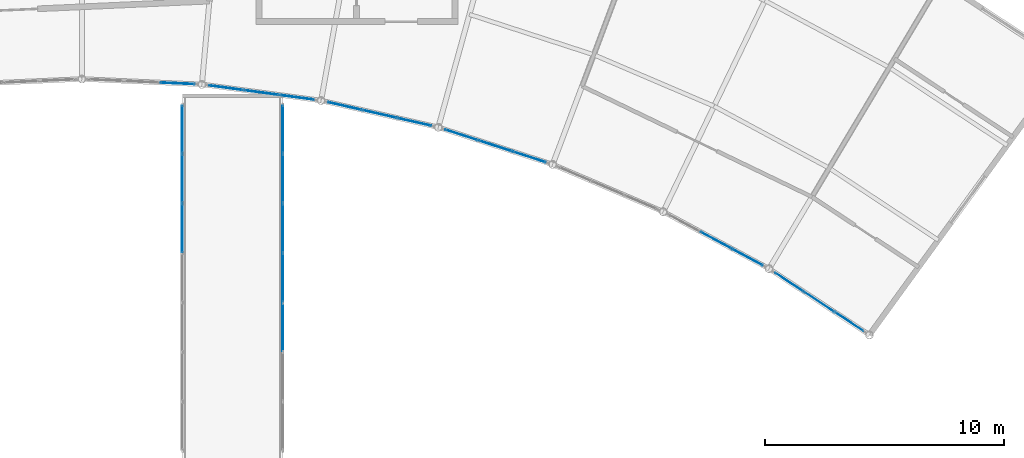
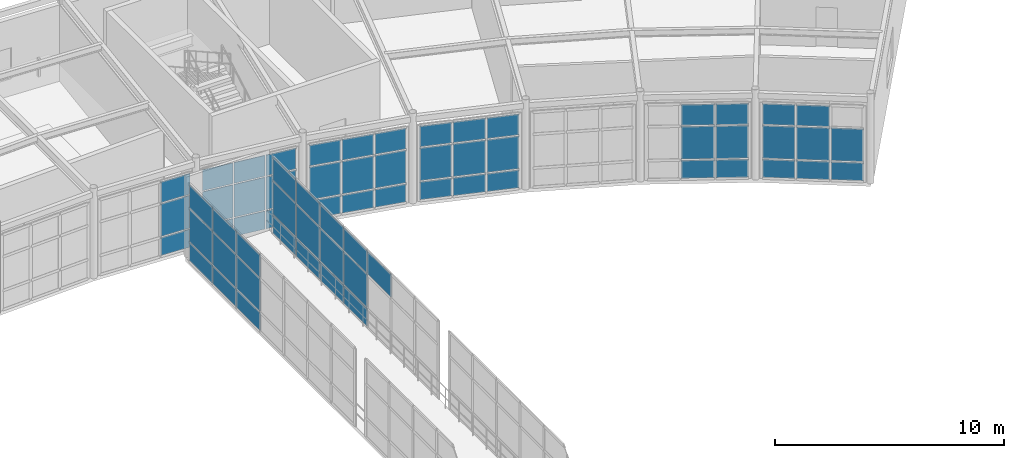
# One storey, part 81 of 105: 66 plates, 8 elements without a shape of their own.
"""IFC4 building model written with IfcOpenShell, lengths in metres."""

from ifc_helpers import new_model, si_unit, direction, frame, origin, origin_2d, place, context, subcontext, project, spatial, rectangle, extrude, material, layer, layer_set, type_object, element, aggregate, save


model = new_model("IFC4")

# Units and contexts
model_context = context("Model", 3, precision=1e-05, world=origin(), true_north=direction((0.0, 1.0)))
body_context = subcontext(model_context, "Body", "Model", "MODEL_VIEW")
ifc_project = project(units=[si_unit("LENGTHUNIT", "METRE"), si_unit("AREAUNIT", "SQUARE_METRE"), si_unit("VOLUMEUNIT", "CUBIC_METRE"), si_unit("PLANEANGLEUNIT", "RADIAN"), si_unit("MASSUNIT", "GRAM", prefix="KILO")], contexts=[model_context])

# Site, building, storey
site_placement = place(None, origin())
site = spatial("IfcSite", under=ifc_project, at=site_placement, CompositionType="ELEMENT")
building_placement = place(site_placement, origin())
building = spatial("IfcBuilding", under=site, at=building_placement, Name="Selat Folded Stagehouse", CompositionType="ELEMENT")
storey_placement = place(building_placement, frame((0.0, 0.0, 10.199951171875)))
storey = spatial("IfcBuildingStorey", under=building, at=storey_placement, Name="L02", CompositionType="ELEMENT", Elevation=10.199951171875)

# Curtain wall, plates
ifc_material_1 = material(Name="Aluminium 6063-T6", Category="aluminium")
ifc_layer_1 = layer(ifc_material_1, 0.175048828125)
ifc_layer_set_1 = layer_set([ifc_layer_1], Name="Aluminium 6063-T6")
curtain_wall_type_1 = type_object("IfcCurtainWallType", Name="CW-BRG-GLAZ", PredefinedType="NOTDEFINED", material=ifc_layer_set_1)
curtain_wall_1_placement = place(storey_placement, origin())
curtain_wall_1 = element("IfcCurtainWall", 1, at=curtain_wall_1_placement, inside=storey, type_object=curtain_wall_type_1, Name="L02 curtain wall CW-BRG-15", PredefinedType="NOTDEFINED")
ifc_material_2 = material(Name="Clear laminated double glazing", Category="glass")
ifc_layer_2 = layer(ifc_material_2, 0.028076171875)
ifc_layer_set_2 = layer_set([ifc_layer_2], Name="Clear laminated double glazing")
plate_type_1 = type_object("IfcPlateType", Name="CWP-GLZ-DGU28", PredefinedType="CURTAIN_PANEL", material=ifc_layer_set_2)
plate_1_placement = place(storey_placement, frame((96.60009765625, 87.771484375, 0.06494140625), z_axis=(0.0, 0.0, 1.0), x_axis=(0.0, 1.0, 0.0)))
plate_1 = element("IfcPlate", 2, at=plate_1_placement, type_object=plate_type_1, Name="CW-07 panel 5.1", PredefinedType="CURTAIN_PANEL", context=body_context, shape_type="SweptSolid", body=[
    extrude(rectangle(XDim=2.011474609375, YDim=0.028076171875, at=origin_2d()), origin(), (0.0, 0.0, 1.0), 0.952392578125),
])
plate_2_placement = place(storey_placement, frame((96.60009765625, 87.771484375, 1.08251953125), z_axis=(0.0, 0.0, 1.0), x_axis=(0.0, 1.0, 0.0)))
plate_2 = element("IfcPlate", 3, at=plate_2_placement, type_object=plate_type_1, Name="CW-07 panel 5.2", PredefinedType="CURTAIN_PANEL", context=body_context, shape_type="SweptSolid", body=[
    extrude(rectangle(XDim=2.011474609375, YDim=0.028076171875, at=origin_2d()), origin(), (0.0, 0.0, 1.0), 1.735107421875),
])
plate_3_placement = place(storey_placement, frame((96.60009765625, 87.771484375, 2.8828125), z_axis=(0.0, 0.0, 1.0), x_axis=(0.0, 1.0, 0.0)))
plate_3 = element("IfcPlate", 4, at=plate_3_placement, type_object=plate_type_1, Name="CW-07 panel 5.3", PredefinedType="CURTAIN_PANEL", context=body_context, shape_type="SweptSolid", body=[
    extrude(rectangle(XDim=2.011474609375, YDim=0.028076171875, at=origin_2d()), origin(), (0.0, 0.0, 1.0), 1.202392578125),
])
plate_4_placement = place(storey_placement, frame((96.60009765625, 89.8427734375, 0.06494140625), z_axis=(0.0, 0.0, 1.0), x_axis=(0.0, 1.0, 0.0)))
plate_4 = element("IfcPlate", 5, at=plate_4_placement, type_object=plate_type_1, Name="CW-07 panel 6.1", PredefinedType="CURTAIN_PANEL", context=body_context, shape_type="SweptSolid", body=[
    extrude(rectangle(XDim=2.011474609375, YDim=0.028076171875, at=origin_2d()), origin(), (0.0, 0.0, 1.0), 0.952392578125),
])
plate_5_placement = place(storey_placement, frame((96.60009765625, 89.8427734375, 1.08251953125), z_axis=(0.0, 0.0, 1.0), x_axis=(0.0, 1.0, 0.0)))
plate_5 = element("IfcPlate", 6, at=plate_5_placement, type_object=plate_type_1, Name="CW-07 panel 6.2", PredefinedType="CURTAIN_PANEL", context=body_context, shape_type="SweptSolid", body=[
    extrude(rectangle(XDim=2.011474609375, YDim=0.028076171875, at=origin_2d()), origin(), (0.0, 0.0, 1.0), 1.735107421875),
])
plate_6_placement = place(storey_placement, frame((96.60009765625, 89.8427734375, 2.8828125), z_axis=(0.0, 0.0, 1.0), x_axis=(0.0, 1.0, 0.0)))
plate_6 = element("IfcPlate", 7, at=plate_6_placement, type_object=plate_type_1, Name="CW-07 panel 6.3", PredefinedType="CURTAIN_PANEL", context=body_context, shape_type="SweptSolid", body=[
    extrude(rectangle(XDim=2.011474609375, YDim=0.028076171875, at=origin_2d()), origin(), (0.0, 0.0, 1.0), 1.202392578125),
])
plate_7_placement = place(storey_placement, frame((96.60009765625, 91.899169921875, 0.06494140625), z_axis=(0.0, 0.0, 1.0), x_axis=(0.0, 1.0, 0.0)))
plate_7 = element("IfcPlate", 8, at=plate_7_placement, type_object=plate_type_1, Name="CW-07 panel 7.1", PredefinedType="CURTAIN_PANEL", context=body_context, shape_type="SweptSolid", body=[
    extrude(rectangle(XDim=1.9814453125, YDim=0.028076171875, at=origin_2d()), origin(), (0.0, 0.0, 1.0), 0.952392578125),
])
plate_8_placement = place(storey_placement, frame((96.60009765625, 91.899169921875, 1.08251953125), z_axis=(0.0, 0.0, 1.0), x_axis=(0.0, 1.0, 0.0)))
plate_8 = element("IfcPlate", 9, at=plate_8_placement, type_object=plate_type_1, Name="CW-07 panel 7.2", PredefinedType="CURTAIN_PANEL", context=body_context, shape_type="SweptSolid", body=[
    extrude(rectangle(XDim=1.9814453125, YDim=0.028076171875, at=origin_2d()), origin(), (0.0, 0.0, 1.0), 1.735107421875),
])
plate_9_placement = place(storey_placement, frame((96.60009765625, 91.899169921875, 2.8828125), z_axis=(0.0, 0.0, 1.0), x_axis=(0.0, 1.0, 0.0)))
plate_9 = element("IfcPlate", 10, at=plate_9_placement, type_object=plate_type_1, Name="CW-07 panel 7.3", PredefinedType="CURTAIN_PANEL", context=body_context, shape_type="SweptSolid", body=[
    extrude(rectangle(XDim=1.9814453125, YDim=0.028076171875, at=origin_2d()), origin(), (0.0, 0.0, 1.0), 1.202392578125),
])
aggregate(curtain_wall_1, [plate_1, plate_2, plate_3, plate_4, plate_5, plate_6, plate_7, plate_8, plate_9])

curtain_wall_2_placement = place(storey_placement, origin())
curtain_wall_2 = element("IfcCurtainWall", 11, at=curtain_wall_2_placement, inside=storey, type_object=curtain_wall_type_1, Name="L02 curtain wall CW-BRG-20", PredefinedType="NOTDEFINED")
plate_10_placement = place(storey_placement, frame((100.800048828125, 91.899169921875, 0.06494140625), z_axis=(0.0, 0.0, 1.0), x_axis=(0.0, -1.0, 0.0)))
plate_10 = element("IfcPlate", 12, at=plate_10_placement, type_object=plate_type_1, Name="CW-07 panel 1.1", PredefinedType="CURTAIN_PANEL", context=body_context, shape_type="SweptSolid", body=[
    extrude(rectangle(XDim=1.9814453125, YDim=0.028076171875, at=origin_2d()), origin(), (0.0, 0.0, 1.0), 0.952392578125),
])
plate_11_placement = place(storey_placement, frame((100.800048828125, 91.899169921875, 1.08251953125), z_axis=(0.0, 0.0, 1.0), x_axis=(0.0, -1.0, 0.0)))
plate_11 = element("IfcPlate", 13, at=plate_11_placement, type_object=plate_type_1, Name="CW-07 panel 1.2", PredefinedType="CURTAIN_PANEL", context=body_context, shape_type="SweptSolid", body=[
    extrude(rectangle(XDim=1.9814453125, YDim=0.028076171875, at=origin_2d()), origin(), (0.0, 0.0, 1.0), 1.735107421875),
])
plate_12_placement = place(storey_placement, frame((100.800048828125, 91.899169921875, 2.8828125), z_axis=(0.0, 0.0, 1.0), x_axis=(0.0, -1.0, 0.0)))
plate_12 = element("IfcPlate", 14, at=plate_12_placement, type_object=plate_type_1, Name="CW-07 panel 1.3", PredefinedType="CURTAIN_PANEL", context=body_context, shape_type="SweptSolid", body=[
    extrude(rectangle(XDim=1.9814453125, YDim=0.028076171875, at=origin_2d()), origin(), (0.0, 0.0, 1.0), 1.202392578125),
])
plate_13_placement = place(storey_placement, frame((100.800048828125, 89.8427734375, 0.06494140625), z_axis=(0.0, 0.0, 1.0), x_axis=(0.0, -1.0, 0.0)))
plate_13 = element("IfcPlate", 15, at=plate_13_placement, type_object=plate_type_1, Name="CW-07 panel 2.1", PredefinedType="CURTAIN_PANEL", context=body_context, shape_type="SweptSolid", body=[
    extrude(rectangle(XDim=2.011474609375, YDim=0.028076171875, at=origin_2d()), origin(), (0.0, 0.0, 1.0), 0.952392578125),
])
plate_14_placement = place(storey_placement, frame((100.800048828125, 89.8427734375, 1.08251953125), z_axis=(0.0, 0.0, 1.0), x_axis=(0.0, -1.0, 0.0)))
plate_14 = element("IfcPlate", 16, at=plate_14_placement, type_object=plate_type_1, Name="CW-07 panel 2.2", PredefinedType="CURTAIN_PANEL", context=body_context, shape_type="SweptSolid", body=[
    extrude(rectangle(XDim=2.011474609375, YDim=0.028076171875, at=origin_2d()), origin(), (0.0, 0.0, 1.0), 1.735107421875),
])
plate_15_placement = place(storey_placement, frame((100.800048828125, 89.8427734375, 2.8828125), z_axis=(0.0, 0.0, 1.0), x_axis=(0.0, -1.0, 0.0)))
plate_15 = element("IfcPlate", 17, at=plate_15_placement, type_object=plate_type_1, Name="CW-07 panel 2.3", PredefinedType="CURTAIN_PANEL", context=body_context, shape_type="SweptSolid", body=[
    extrude(rectangle(XDim=2.011474609375, YDim=0.028076171875, at=origin_2d()), origin(), (0.0, 0.0, 1.0), 1.202392578125),
])
plate_16_placement = place(storey_placement, frame((100.800048828125, 87.771484375, 0.06494140625), z_axis=(0.0, 0.0, 1.0), x_axis=(0.0, -1.0, 0.0)))
plate_16 = element("IfcPlate", 18, at=plate_16_placement, type_object=plate_type_1, Name="CW-07 panel 3.1", PredefinedType="CURTAIN_PANEL", context=body_context, shape_type="SweptSolid", body=[
    extrude(rectangle(XDim=2.011474609375, YDim=0.028076171875, at=origin_2d()), origin(), (0.0, 0.0, 1.0), 0.952392578125),
])
plate_17_placement = place(storey_placement, frame((100.800048828125, 87.771484375, 1.08251953125), z_axis=(0.0, 0.0, 1.0), x_axis=(0.0, -1.0, 0.0)))
plate_17 = element("IfcPlate", 19, at=plate_17_placement, type_object=plate_type_1, Name="CW-07 panel 3.2", PredefinedType="CURTAIN_PANEL", context=body_context, shape_type="SweptSolid", body=[
    extrude(rectangle(XDim=2.011474609375, YDim=0.028076171875, at=origin_2d()), origin(), (0.0, 0.0, 1.0), 1.735107421875),
])
plate_18_placement = place(storey_placement, frame((100.800048828125, 87.771484375, 2.8828125), z_axis=(0.0, 0.0, 1.0), x_axis=(0.0, -1.0, 0.0)))
plate_18 = element("IfcPlate", 20, at=plate_18_placement, type_object=plate_type_1, Name="CW-07 panel 3.3", PredefinedType="CURTAIN_PANEL", context=body_context, shape_type="SweptSolid", body=[
    extrude(rectangle(XDim=2.011474609375, YDim=0.028076171875, at=origin_2d()), origin(), (0.0, 0.0, 1.0), 1.202392578125),
])
plate_19_placement = place(storey_placement, frame((100.800048828125, 85.699951171875, 0.06494140625), z_axis=(0.0, 0.0, 1.0), x_axis=(0.0, -1.0, 0.0)))
plate_19 = element("IfcPlate", 21, at=plate_19_placement, type_object=plate_type_1, Name="CW-07 panel 4.1", PredefinedType="CURTAIN_PANEL", context=body_context, shape_type="SweptSolid", body=[
    extrude(rectangle(XDim=2.011474609375, YDim=0.028076171875, at=origin_2d()), origin(), (0.0, 0.0, 1.0), 0.952392578125),
])
plate_20_placement = place(storey_placement, frame((100.800048828125, 85.699951171875, 1.08251953125), z_axis=(0.0, 0.0, 1.0), x_axis=(0.0, -1.0, 0.0)))
plate_20 = element("IfcPlate", 22, at=plate_20_placement, type_object=plate_type_1, Name="CW-07 panel 4.2", PredefinedType="CURTAIN_PANEL", context=body_context, shape_type="SweptSolid", body=[
    extrude(rectangle(XDim=2.011474609375, YDim=0.028076171875, at=origin_2d()), origin(), (0.0, 0.0, 1.0), 1.735107421875),
])
plate_21_placement = place(storey_placement, frame((100.800048828125, 85.699951171875, 2.8828125), z_axis=(0.0, 0.0, 1.0), x_axis=(0.0, -1.0, 0.0)))
plate_21 = element("IfcPlate", 23, at=plate_21_placement, type_object=plate_type_1, Name="CW-07 panel 4.3", PredefinedType="CURTAIN_PANEL", context=body_context, shape_type="SweptSolid", body=[
    extrude(rectangle(XDim=2.011474609375, YDim=0.028076171875, at=origin_2d()), origin(), (0.0, 0.0, 1.0), 1.202392578125),
])
plate_22_placement = place(storey_placement, frame((100.800048828125, 83.628662109375, 2.8828125), z_axis=(0.0, 0.0, 1.0), x_axis=(0.0, -1.0, 0.0)))
plate_22 = element("IfcPlate", 24, at=plate_22_placement, type_object=plate_type_1, Name="CW-07 panel 5.3", PredefinedType="CURTAIN_PANEL", context=body_context, shape_type="SweptSolid", body=[
    extrude(rectangle(XDim=2.011474609375, YDim=0.028076171875, at=origin_2d()), origin(), (0.0, 0.0, 1.0), 1.202392578125),
])
aggregate(curtain_wall_2, [plate_10, plate_11, plate_12, plate_13, plate_14, plate_15, plate_16, plate_17, plate_18, plate_19, plate_20, plate_21, plate_22])

ifc_layer_3 = layer(ifc_material_1, 0.18994140625)
ifc_layer_set_3 = layer_set([ifc_layer_3], Name="Aluminium 6063-T6")
curtain_wall_type_2 = type_object("IfcCurtainWallType", Name="CW-REH-ARC", PredefinedType="NOTDEFINED", material=ifc_layer_set_3)
curtain_wall_3_placement = place(storey_placement, origin())
curtain_wall_3 = element("IfcCurtainWall", 25, at=curtain_wall_3_placement, inside=storey, type_object=curtain_wall_type_2, Name="L02 curtain wall CW-REH-L02-07", PredefinedType="NOTDEFINED")
ifc_material_3 = material(Name="Laminated low-E double glazing", Category="glass")
ifc_layer_4 = layer(ifc_material_3, 0.031982421875)
ifc_layer_set_4 = layer_set([ifc_layer_4], Name="Laminated low-E double glazing")
plate_type_2 = type_object("IfcPlateType", Name="CWP-GLZ-DGU32", PredefinedType="CURTAIN_PANEL", material=ifc_layer_set_4)
plate_23_placement = place(storey_placement, frame((96.401611328125, 93.8203125, 0.06494140625), z_axis=(0.0, 0.0, 1.0), x_axis=(-0.998993179436, 0.044862316478, 0.0)))
plate_23 = element("IfcPlate", 26, at=plate_23_placement, type_object=plate_type_2, Name="CW-06 panel 1.1", PredefinedType="CURTAIN_PANEL", context=body_context, shape_type="SweptSolid", body=[
    extrude(rectangle(XDim=1.418212890625, YDim=0.031982421875, at=origin_2d()), origin(), (0.0, 0.0, 1.0), 0.952392578125),
])
plate_24_placement = place(storey_placement, frame((96.401611328125, 93.8203125, 1.08251953125), z_axis=(0.0, 0.0, 1.0), x_axis=(-0.998993179436, 0.044862316478, 0.0)))
plate_24 = element("IfcPlate", 27, at=plate_24_placement, type_object=plate_type_2, Name="CW-06 panel 1.2", PredefinedType="CURTAIN_PANEL", context=body_context, shape_type="SweptSolid", body=[
    extrude(rectangle(XDim=1.418212890625, YDim=0.031982421875, at=origin_2d()), origin(), (0.0, 0.0, 1.0), 1.735107421875),
])
plate_25_placement = place(storey_placement, frame((96.401611328125, 93.8203125, 2.882568359375), z_axis=(0.0, 0.0, 1.0), x_axis=(-0.998993179436, 0.044862316478, 0.0)))
plate_25 = element("IfcPlate", 28, at=plate_25_placement, type_object=plate_type_2, Name="CW-06 panel 1.3", PredefinedType="CURTAIN_PANEL", context=body_context, shape_type="SweptSolid", body=[
    extrude(rectangle(XDim=1.418212890625, YDim=0.031982421875, at=origin_2d()), origin(), (0.0, 0.0, 1.0), 1.1025390625),
])
aggregate(curtain_wall_3, [plate_23, plate_24, plate_25])

curtain_wall_4_placement = place(storey_placement, origin())
curtain_wall_4 = element("IfcCurtainWall", 29, at=curtain_wall_4_placement, inside=storey, type_object=curtain_wall_type_2, Name="L02 curtain wall CW-REH-L02-08", PredefinedType="NOTDEFINED")
plate_26_placement = place(storey_placement, frame((101.389404296875, 93.23681640625, 0.06494140625), z_axis=(0.0, 0.0, 1.0), x_axis=(-0.990952673876, 0.134211766018, 0.0)))
plate_26 = element("IfcPlate", 30, at=plate_26_placement, type_object=plate_type_2, Name="CW-06 panel 1.1", PredefinedType="CURTAIN_PANEL", context=body_context, shape_type="SweptSolid", body=[
    extrude(rectangle(XDim=1.418212890625, YDim=0.031982421875, at=origin_2d()), origin(), (0.0, 0.0, 1.0), 0.952392578125),
])
plate_27_placement = place(storey_placement, frame((101.389404296875, 93.23681640625, 1.08251953125), z_axis=(0.0, 0.0, 1.0), x_axis=(-0.990952673876, 0.134211766018, 0.0)))
plate_27 = element("IfcPlate", 31, at=plate_27_placement, type_object=plate_type_2, Name="CW-06 panel 1.2", PredefinedType="CURTAIN_PANEL", context=body_context, shape_type="SweptSolid", body=[
    extrude(rectangle(XDim=1.418212890625, YDim=0.031982421875, at=origin_2d()), origin(), (0.0, 0.0, 1.0), 1.735107421875),
])
plate_28_placement = place(storey_placement, frame((101.389404296875, 93.23681640625, 2.882568359375), z_axis=(0.0, 0.0, 1.0), x_axis=(-0.990952673876, 0.134211766018, 0.0)))
plate_28 = element("IfcPlate", 32, at=plate_28_placement, type_object=plate_type_2, Name="CW-06 panel 1.3", PredefinedType="CURTAIN_PANEL", context=body_context, shape_type="SweptSolid", body=[
    extrude(rectangle(XDim=1.418212890625, YDim=0.031982421875, at=origin_2d()), origin(), (0.0, 0.0, 1.0), 1.1025390625),
])
plate_29_placement = place(storey_placement, frame((99.909423828125, 93.437255859375, 0.06494140625), z_axis=(0.0, 0.0, 1.0), x_axis=(-0.990952673876, 0.134211766018, 0.0)))
plate_29 = element("IfcPlate", 33, at=plate_29_placement, type_object=plate_type_2, Name="CW-06 panel 2.1", PredefinedType="CURTAIN_PANEL", context=body_context, shape_type="SweptSolid", body=[
    extrude(rectangle(XDim=1.4482421875, YDim=0.031982421875, at=origin_2d()), origin(), (0.0, 0.0, 1.0), 0.952392578125),
])
plate_30_placement = place(storey_placement, frame((99.909423828125, 93.437255859375, 1.08251953125), z_axis=(0.0, 0.0, 1.0), x_axis=(-0.990952673876, 0.134211766018, 0.0)))
plate_30 = element("IfcPlate", 34, at=plate_30_placement, type_object=plate_type_2, Name="CW-06 panel 2.2", PredefinedType="CURTAIN_PANEL", context=body_context, shape_type="SweptSolid", body=[
    extrude(rectangle(XDim=1.4482421875, YDim=0.031982421875, at=origin_2d()), origin(), (0.0, 0.0, 1.0), 1.735107421875),
])
plate_31_placement = place(storey_placement, frame((99.909423828125, 93.437255859375, 2.882568359375), z_axis=(0.0, 0.0, 1.0), x_axis=(-0.990952673876, 0.134211766018, 0.0)))
plate_31 = element("IfcPlate", 35, at=plate_31_placement, type_object=plate_type_2, Name="CW-06 panel 2.3", PredefinedType="CURTAIN_PANEL", context=body_context, shape_type="SweptSolid", body=[
    extrude(rectangle(XDim=1.4482421875, YDim=0.031982421875, at=origin_2d()), origin(), (0.0, 0.0, 1.0), 1.1025390625),
])
plate_32_placement = place(storey_placement, frame((98.4296875, 93.6376953125, 0.06494140625), z_axis=(0.0, 0.0, 1.0), x_axis=(-0.990952673876, 0.134211766018, 0.0)))
plate_32 = element("IfcPlate", 36, at=plate_32_placement, type_object=plate_type_2, Name="CW-06 panel 3.1", PredefinedType="CURTAIN_PANEL", context=body_context, shape_type="SweptSolid", body=[
    extrude(rectangle(XDim=1.418212890625, YDim=0.031982421875, at=origin_2d()), origin(), (0.0, 0.0, 1.0), 0.952392578125),
])
plate_33_placement = place(storey_placement, frame((98.4296875, 93.6376953125, 1.08251953125), z_axis=(0.0, 0.0, 1.0), x_axis=(-0.990952673876, 0.134211766018, 0.0)))
plate_33 = element("IfcPlate", 37, at=plate_33_placement, type_object=plate_type_2, Name="CW-06 panel 3.2", PredefinedType="CURTAIN_PANEL", context=body_context, shape_type="SweptSolid", body=[
    extrude(rectangle(XDim=1.418212890625, YDim=0.031982421875, at=origin_2d()), origin(), (0.0, 0.0, 1.0), 1.735107421875),
])
plate_34_placement = place(storey_placement, frame((98.4296875, 93.6376953125, 2.882568359375), z_axis=(0.0, 0.0, 1.0), x_axis=(-0.990952673876, 0.134211766018, 0.0)))
plate_34 = element("IfcPlate", 38, at=plate_34_placement, type_object=plate_type_2, Name="CW-06 panel 3.3", PredefinedType="CURTAIN_PANEL", context=body_context, shape_type="SweptSolid", body=[
    extrude(rectangle(XDim=1.418212890625, YDim=0.031982421875, at=origin_2d()), origin(), (0.0, 0.0, 1.0), 1.1025390625),
])
aggregate(curtain_wall_4, [plate_26, plate_27, plate_28, plate_29, plate_30, plate_31, plate_32, plate_33, plate_34])

curtain_wall_5_placement = place(storey_placement, origin())
curtain_wall_5 = element("IfcCurtainWall", 39, at=curtain_wall_5_placement, inside=storey, type_object=curtain_wall_type_2, Name="L02 curtain wall CW-REH-L02-09", PredefinedType="NOTDEFINED")
plate_35_placement = place(storey_placement, frame((106.304443359375, 92.208740234375, 0.06494140625), z_axis=(0.0, 0.0, 1.0), x_axis=(-0.974922930026, 0.222542761079, 0.0)))
plate_35 = element("IfcPlate", 40, at=plate_35_placement, type_object=plate_type_2, Name="CW-06 panel 1.1", PredefinedType="CURTAIN_PANEL", context=body_context, shape_type="SweptSolid", body=[
    extrude(rectangle(XDim=1.418212890625, YDim=0.031982421875, at=origin_2d()), origin(), (0.0, 0.0, 1.0), 0.952392578125),
])
plate_36_placement = place(storey_placement, frame((106.304443359375, 92.208740234375, 1.08251953125), z_axis=(0.0, 0.0, 1.0), x_axis=(-0.974922930026, 0.222542761079, 0.0)))
plate_36 = element("IfcPlate", 41, at=plate_36_placement, type_object=plate_type_2, Name="CW-06 panel 1.2", PredefinedType="CURTAIN_PANEL", context=body_context, shape_type="SweptSolid", body=[
    extrude(rectangle(XDim=1.418212890625, YDim=0.031982421875, at=origin_2d()), origin(), (0.0, 0.0, 1.0), 1.735107421875),
])
plate_37_placement = place(storey_placement, frame((106.304443359375, 92.208740234375, 2.882568359375), z_axis=(0.0, 0.0, 1.0), x_axis=(-0.974922930026, 0.222542761079, 0.0)))
plate_37 = element("IfcPlate", 42, at=plate_37_placement, type_object=plate_type_2, Name="CW-06 panel 1.3", PredefinedType="CURTAIN_PANEL", context=body_context, shape_type="SweptSolid", body=[
    extrude(rectangle(XDim=1.418212890625, YDim=0.031982421875, at=origin_2d()), origin(), (0.0, 0.0, 1.0), 1.1025390625),
])
plate_38_placement = place(storey_placement, frame((104.8486328125, 92.541015625, 0.06494140625), z_axis=(0.0, 0.0, 1.0), x_axis=(-0.974922930026, 0.222542761079, 0.0)))
plate_38 = element("IfcPlate", 43, at=plate_38_placement, type_object=plate_type_2, Name="CW-06 panel 2.1", PredefinedType="CURTAIN_PANEL", context=body_context, shape_type="SweptSolid", body=[
    extrude(rectangle(XDim=1.4482421875, YDim=0.031982421875, at=origin_2d()), origin(), (0.0, 0.0, 1.0), 0.952392578125),
])
plate_39_placement = place(storey_placement, frame((104.8486328125, 92.541015625, 1.08251953125), z_axis=(0.0, 0.0, 1.0), x_axis=(-0.974922930026, 0.222542761079, 0.0)))
plate_39 = element("IfcPlate", 44, at=plate_39_placement, type_object=plate_type_2, Name="CW-06 panel 2.2", PredefinedType="CURTAIN_PANEL", context=body_context, shape_type="SweptSolid", body=[
    extrude(rectangle(XDim=1.4482421875, YDim=0.031982421875, at=origin_2d()), origin(), (0.0, 0.0, 1.0), 1.735107421875),
])
plate_40_placement = place(storey_placement, frame((104.8486328125, 92.541015625, 2.882568359375), z_axis=(0.0, 0.0, 1.0), x_axis=(-0.974922930026, 0.222542761079, 0.0)))
plate_40 = element("IfcPlate", 45, at=plate_40_placement, type_object=plate_type_2, Name="CW-06 panel 2.3", PredefinedType="CURTAIN_PANEL", context=body_context, shape_type="SweptSolid", body=[
    extrude(rectangle(XDim=1.4482421875, YDim=0.031982421875, at=origin_2d()), origin(), (0.0, 0.0, 1.0), 1.1025390625),
])
plate_41_placement = place(storey_placement, frame((103.392822265625, 92.873291015625, 0.06494140625), z_axis=(0.0, 0.0, 1.0), x_axis=(-0.974922930026, 0.222542761079, 0.0)))
plate_41 = element("IfcPlate", 46, at=plate_41_placement, type_object=plate_type_2, Name="CW-06 panel 3.1", PredefinedType="CURTAIN_PANEL", context=body_context, shape_type="SweptSolid", body=[
    extrude(rectangle(XDim=1.418212890625, YDim=0.031982421875, at=origin_2d()), origin(), (0.0, 0.0, 1.0), 0.952392578125),
])
plate_42_placement = place(storey_placement, frame((103.392822265625, 92.873291015625, 1.08251953125), z_axis=(0.0, 0.0, 1.0), x_axis=(-0.974922930026, 0.222542761079, 0.0)))
plate_42 = element("IfcPlate", 47, at=plate_42_placement, type_object=plate_type_2, Name="CW-06 panel 3.2", PredefinedType="CURTAIN_PANEL", context=body_context, shape_type="SweptSolid", body=[
    extrude(rectangle(XDim=1.418212890625, YDim=0.031982421875, at=origin_2d()), origin(), (0.0, 0.0, 1.0), 1.735107421875),
])
plate_43_placement = place(storey_placement, frame((103.392822265625, 92.873291015625, 2.882568359375), z_axis=(0.0, 0.0, 1.0), x_axis=(-0.974922930026, 0.222542761079, 0.0)))
plate_43 = element("IfcPlate", 48, at=plate_43_placement, type_object=plate_type_2, Name="CW-06 panel 3.3", PredefinedType="CURTAIN_PANEL", context=body_context, shape_type="SweptSolid", body=[
    extrude(rectangle(XDim=1.418212890625, YDim=0.031982421875, at=origin_2d()), origin(), (0.0, 0.0, 1.0), 1.1025390625),
])
aggregate(curtain_wall_5, [plate_35, plate_36, plate_37, plate_38, plate_39, plate_40, plate_41, plate_42, plate_43])

curtain_wall_6_placement = place(storey_placement, origin())
curtain_wall_6 = element("IfcCurtainWall", 49, at=curtain_wall_6_placement, inside=storey, type_object=curtain_wall_type_2, Name="L02 curtain wall CW-REH-L02-10", PredefinedType="NOTDEFINED")
plate_44_placement = place(storey_placement, frame((111.107666015625, 90.744140625, 0.06494140625), z_axis=(0.0, 0.0, 1.0), x_axis=(-0.951064760323, 0.308991620714, 0.0)))
plate_44 = element("IfcPlate", 50, at=plate_44_placement, type_object=plate_type_2, Name="CW-06 panel 1.1", PredefinedType="CURTAIN_PANEL", context=body_context, shape_type="SweptSolid", body=[
    extrude(rectangle(XDim=1.418212890625, YDim=0.031982421875, at=origin_2d()), origin(), (0.0, 0.0, 1.0), 0.952392578125),
])
plate_45_placement = place(storey_placement, frame((111.107666015625, 90.744140625, 1.08251953125), z_axis=(0.0, 0.0, 1.0), x_axis=(-0.951064760323, 0.308991620714, 0.0)))
plate_45 = element("IfcPlate", 51, at=plate_45_placement, type_object=plate_type_2, Name="CW-06 panel 1.2", PredefinedType="CURTAIN_PANEL", context=body_context, shape_type="SweptSolid", body=[
    extrude(rectangle(XDim=1.418212890625, YDim=0.031982421875, at=origin_2d()), origin(), (0.0, 0.0, 1.0), 1.735107421875),
])
plate_46_placement = place(storey_placement, frame((111.107666015625, 90.744140625, 2.882568359375), z_axis=(0.0, 0.0, 1.0), x_axis=(-0.951064760323, 0.308991620714, 0.0)))
plate_46 = element("IfcPlate", 52, at=plate_46_placement, type_object=plate_type_2, Name="CW-06 panel 1.3", PredefinedType="CURTAIN_PANEL", context=body_context, shape_type="SweptSolid", body=[
    extrude(rectangle(XDim=1.418212890625, YDim=0.031982421875, at=origin_2d()), origin(), (0.0, 0.0, 1.0), 1.1025390625),
])
plate_47_placement = place(storey_placement, frame((109.6875, 91.20556640625, 0.06494140625), z_axis=(0.0, 0.0, 1.0), x_axis=(-0.951064760323, 0.308991620714, 0.0)))
plate_47 = element("IfcPlate", 53, at=plate_47_placement, type_object=plate_type_2, Name="CW-06 panel 2.1", PredefinedType="CURTAIN_PANEL", context=body_context, shape_type="SweptSolid", body=[
    extrude(rectangle(XDim=1.4482421875, YDim=0.031982421875, at=origin_2d()), origin(), (0.0, 0.0, 1.0), 0.952392578125),
])
plate_48_placement = place(storey_placement, frame((109.6875, 91.20556640625, 1.08251953125), z_axis=(0.0, 0.0, 1.0), x_axis=(-0.951064760323, 0.308991620714, 0.0)))
plate_48 = element("IfcPlate", 54, at=plate_48_placement, type_object=plate_type_2, Name="CW-06 panel 2.2", PredefinedType="CURTAIN_PANEL", context=body_context, shape_type="SweptSolid", body=[
    extrude(rectangle(XDim=1.4482421875, YDim=0.031982421875, at=origin_2d()), origin(), (0.0, 0.0, 1.0), 1.735107421875),
])
plate_49_placement = place(storey_placement, frame((109.6875, 91.20556640625, 2.882568359375), z_axis=(0.0, 0.0, 1.0), x_axis=(-0.951064760323, 0.308991620714, 0.0)))
plate_49 = element("IfcPlate", 55, at=plate_49_placement, type_object=plate_type_2, Name="CW-06 panel 2.3", PredefinedType="CURTAIN_PANEL", context=body_context, shape_type="SweptSolid", body=[
    extrude(rectangle(XDim=1.4482421875, YDim=0.031982421875, at=origin_2d()), origin(), (0.0, 0.0, 1.0), 1.1025390625),
])
plate_50_placement = place(storey_placement, frame((108.267333984375, 91.6669921875, 0.06494140625), z_axis=(0.0, 0.0, 1.0), x_axis=(-0.951064760323, 0.308991620714, 0.0)))
plate_50 = element("IfcPlate", 56, at=plate_50_placement, type_object=plate_type_2, Name="CW-06 panel 3.1", PredefinedType="CURTAIN_PANEL", context=body_context, shape_type="SweptSolid", body=[
    extrude(rectangle(XDim=1.418212890625, YDim=0.031982421875, at=origin_2d()), origin(), (0.0, 0.0, 1.0), 0.952392578125),
])
plate_51_placement = place(storey_placement, frame((108.267333984375, 91.6669921875, 1.08251953125), z_axis=(0.0, 0.0, 1.0), x_axis=(-0.951064760323, 0.308991620714, 0.0)))
plate_51 = element("IfcPlate", 57, at=plate_51_placement, type_object=plate_type_2, Name="CW-06 panel 3.2", PredefinedType="CURTAIN_PANEL", context=body_context, shape_type="SweptSolid", body=[
    extrude(rectangle(XDim=1.418212890625, YDim=0.031982421875, at=origin_2d()), origin(), (0.0, 0.0, 1.0), 1.735107421875),
])
plate_52_placement = place(storey_placement, frame((108.267333984375, 91.6669921875, 2.882568359375), z_axis=(0.0, 0.0, 1.0), x_axis=(-0.951064760323, 0.308991620714, 0.0)))
plate_52 = element("IfcPlate", 58, at=plate_52_placement, type_object=plate_type_2, Name="CW-06 panel 3.3", PredefinedType="CURTAIN_PANEL", context=body_context, shape_type="SweptSolid", body=[
    extrude(rectangle(XDim=1.418212890625, YDim=0.031982421875, at=origin_2d()), origin(), (0.0, 0.0, 1.0), 1.1025390625),
])
aggregate(curtain_wall_6, [plate_44, plate_45, plate_46, plate_47, plate_48, plate_49, plate_50, plate_51, plate_52])

curtain_wall_7_placement = place(storey_placement, origin())
curtain_wall_7 = element("IfcCurtainWall", 59, at=curtain_wall_7_placement, inside=storey, type_object=curtain_wall_type_2, Name="L02 curtain wall CW-REH-L02-12", PredefinedType="NOTDEFINED")
plate_53_placement = place(storey_placement, frame((120.224853515625, 86.55615234375, 0.06494140625), z_axis=(0.0, 0.0, 1.0), x_axis=(-0.880600927119, 0.473858636259, 0.0)))
plate_53 = element("IfcPlate", 60, at=plate_53_placement, type_object=plate_type_2, Name="CW-06 panel 1.1", PredefinedType="CURTAIN_PANEL", context=body_context, shape_type="SweptSolid", body=[
    extrude(rectangle(XDim=1.418212890625, YDim=0.031982421875, at=origin_2d()), origin(), (0.0, 0.0, 1.0), 0.952392578125),
])
plate_54_placement = place(storey_placement, frame((120.224853515625, 86.55615234375, 1.08251953125), z_axis=(0.0, 0.0, 1.0), x_axis=(-0.880600927119, 0.473858636259, 0.0)))
plate_54 = element("IfcPlate", 61, at=plate_54_placement, type_object=plate_type_2, Name="CW-06 panel 1.2", PredefinedType="CURTAIN_PANEL", context=body_context, shape_type="SweptSolid", body=[
    extrude(rectangle(XDim=1.418212890625, YDim=0.031982421875, at=origin_2d()), origin(), (0.0, 0.0, 1.0), 1.735107421875),
])
plate_55_placement = place(storey_placement, frame((120.224853515625, 86.55615234375, 2.882568359375), z_axis=(0.0, 0.0, 1.0), x_axis=(-0.880600927119, 0.473858636259, 0.0)))
plate_55 = element("IfcPlate", 62, at=plate_55_placement, type_object=plate_type_2, Name="CW-06 panel 1.3", PredefinedType="CURTAIN_PANEL", context=body_context, shape_type="SweptSolid", body=[
    extrude(rectangle(XDim=1.418212890625, YDim=0.031982421875, at=origin_2d()), origin(), (0.0, 0.0, 1.0), 1.1025390625),
])
plate_56_placement = place(storey_placement, frame((118.909912109375, 87.263671875, 0.06494140625), z_axis=(0.0, 0.0, 1.0), x_axis=(-0.880600927119, 0.473858636259, 0.0)))
plate_56 = element("IfcPlate", 63, at=plate_56_placement, type_object=plate_type_2, Name="CW-06 panel 2.1", PredefinedType="CURTAIN_PANEL", context=body_context, shape_type="SweptSolid", body=[
    extrude(rectangle(XDim=1.4482421875, YDim=0.031982421875, at=origin_2d()), origin(), (0.0, 0.0, 1.0), 0.952392578125),
])
plate_57_placement = place(storey_placement, frame((118.909912109375, 87.263671875, 1.08251953125), z_axis=(0.0, 0.0, 1.0), x_axis=(-0.880600927119, 0.473858636259, 0.0)))
plate_57 = element("IfcPlate", 64, at=plate_57_placement, type_object=plate_type_2, Name="CW-06 panel 2.2", PredefinedType="CURTAIN_PANEL", context=body_context, shape_type="SweptSolid", body=[
    extrude(rectangle(XDim=1.4482421875, YDim=0.031982421875, at=origin_2d()), origin(), (0.0, 0.0, 1.0), 1.735107421875),
])
plate_58_placement = place(storey_placement, frame((118.909912109375, 87.263671875, 2.882568359375), z_axis=(0.0, 0.0, 1.0), x_axis=(-0.880600927119, 0.473858636259, 0.0)))
plate_58 = element("IfcPlate", 65, at=plate_58_placement, type_object=plate_type_2, Name="CW-06 panel 2.3", PredefinedType="CURTAIN_PANEL", context=body_context, shape_type="SweptSolid", body=[
    extrude(rectangle(XDim=1.4482421875, YDim=0.031982421875, at=origin_2d()), origin(), (0.0, 0.0, 1.0), 1.1025390625),
])
aggregate(curtain_wall_7, [plate_53, plate_54, plate_55, plate_56, plate_57, plate_58])

curtain_wall_8_placement = place(storey_placement, origin())
curtain_wall_8 = element("IfcCurtainWall", 66, at=curtain_wall_8_placement, inside=storey, type_object=curtain_wall_type_2, Name="L02 curtain wall CW-REH-L02-13", PredefinedType="NOTDEFINED")
plate_59_placement = place(storey_placement, frame((124.465576171875, 83.866455078125, 0.06494140625), z_axis=(0.0, 0.0, 1.0), x_axis=(-0.834581363399, 0.550884695619, 0.0)))
plate_59 = element("IfcPlate", 67, at=plate_59_placement, type_object=plate_type_2, Name="CW-06 panel 1.1", PredefinedType="CURTAIN_PANEL", context=body_context, shape_type="SweptSolid", body=[
    extrude(rectangle(XDim=1.418212890625, YDim=0.031982421875, at=origin_2d()), origin(), (0.0, 0.0, 1.0), 0.952392578125),
])
plate_60_placement = place(storey_placement, frame((124.465576171875, 83.866455078125, 1.08251953125), z_axis=(0.0, 0.0, 1.0), x_axis=(-0.834581363399, 0.550884695619, 0.0)))
plate_60 = element("IfcPlate", 68, at=plate_60_placement, type_object=plate_type_2, Name="CW-06 panel 1.2", PredefinedType="CURTAIN_PANEL", context=body_context, shape_type="SweptSolid", body=[
    extrude(rectangle(XDim=1.418212890625, YDim=0.031982421875, at=origin_2d()), origin(), (0.0, 0.0, 1.0), 1.735107421875),
])
plate_61_placement = place(storey_placement, frame((123.21923828125, 84.68896484375, 0.06494140625), z_axis=(0.0, 0.0, 1.0), x_axis=(-0.834581363399, 0.550884695619, 0.0)))
plate_61 = element("IfcPlate", 69, at=plate_61_placement, type_object=plate_type_2, Name="CW-06 panel 2.1", PredefinedType="CURTAIN_PANEL", context=body_context, shape_type="SweptSolid", body=[
    extrude(rectangle(XDim=1.4482421875, YDim=0.031982421875, at=origin_2d()), origin(), (0.0, 0.0, 1.0), 0.952392578125),
])
plate_62_placement = place(storey_placement, frame((123.21923828125, 84.68896484375, 1.08251953125), z_axis=(0.0, 0.0, 1.0), x_axis=(-0.834581363399, 0.550884695619, 0.0)))
plate_62 = element("IfcPlate", 70, at=plate_62_placement, type_object=plate_type_2, Name="CW-06 panel 2.2", PredefinedType="CURTAIN_PANEL", context=body_context, shape_type="SweptSolid", body=[
    extrude(rectangle(XDim=1.4482421875, YDim=0.031982421875, at=origin_2d()), origin(), (0.0, 0.0, 1.0), 1.735107421875),
])
plate_63_placement = place(storey_placement, frame((123.21923828125, 84.68896484375, 2.882568359375), z_axis=(0.0, 0.0, 1.0), x_axis=(-0.834581363399, 0.550884695619, 0.0)))
plate_63 = element("IfcPlate", 71, at=plate_63_placement, type_object=plate_type_2, Name="CW-06 panel 2.3", PredefinedType="CURTAIN_PANEL", context=body_context, shape_type="SweptSolid", body=[
    extrude(rectangle(XDim=1.4482421875, YDim=0.031982421875, at=origin_2d()), origin(), (0.0, 0.0, 1.0), 1.1025390625),
])
plate_64_placement = place(storey_placement, frame((121.972900390625, 85.51171875, 0.06494140625), z_axis=(0.0, 0.0, 1.0), x_axis=(-0.834581363399, 0.550884695619, 0.0)))
plate_64 = element("IfcPlate", 72, at=plate_64_placement, type_object=plate_type_2, Name="CW-06 panel 3.1", PredefinedType="CURTAIN_PANEL", context=body_context, shape_type="SweptSolid", body=[
    extrude(rectangle(XDim=1.418212890625, YDim=0.031982421875, at=origin_2d()), origin(), (0.0, 0.0, 1.0), 0.952392578125),
])
plate_65_placement = place(storey_placement, frame((121.972900390625, 85.51171875, 1.08251953125), z_axis=(0.0, 0.0, 1.0), x_axis=(-0.834581363399, 0.550884695619, 0.0)))
plate_65 = element("IfcPlate", 73, at=plate_65_placement, type_object=plate_type_2, Name="CW-06 panel 3.2", PredefinedType="CURTAIN_PANEL", context=body_context, shape_type="SweptSolid", body=[
    extrude(rectangle(XDim=1.418212890625, YDim=0.031982421875, at=origin_2d()), origin(), (0.0, 0.0, 1.0), 1.735107421875),
])
plate_66_placement = place(storey_placement, frame((121.972900390625, 85.51171875, 2.882568359375), z_axis=(0.0, 0.0, 1.0), x_axis=(-0.834581363399, 0.550884695619, 0.0)))
plate_66 = element("IfcPlate", 74, at=plate_66_placement, type_object=plate_type_2, Name="CW-06 panel 3.3", PredefinedType="CURTAIN_PANEL", context=body_context, shape_type="SweptSolid", body=[
    extrude(rectangle(XDim=1.418212890625, YDim=0.031982421875, at=origin_2d()), origin(), (0.0, 0.0, 1.0), 1.1025390625),
])
aggregate(curtain_wall_8, [plate_59, plate_60, plate_61, plate_62, plate_63, plate_64, plate_65, plate_66])

save(model, "model.ifc")
